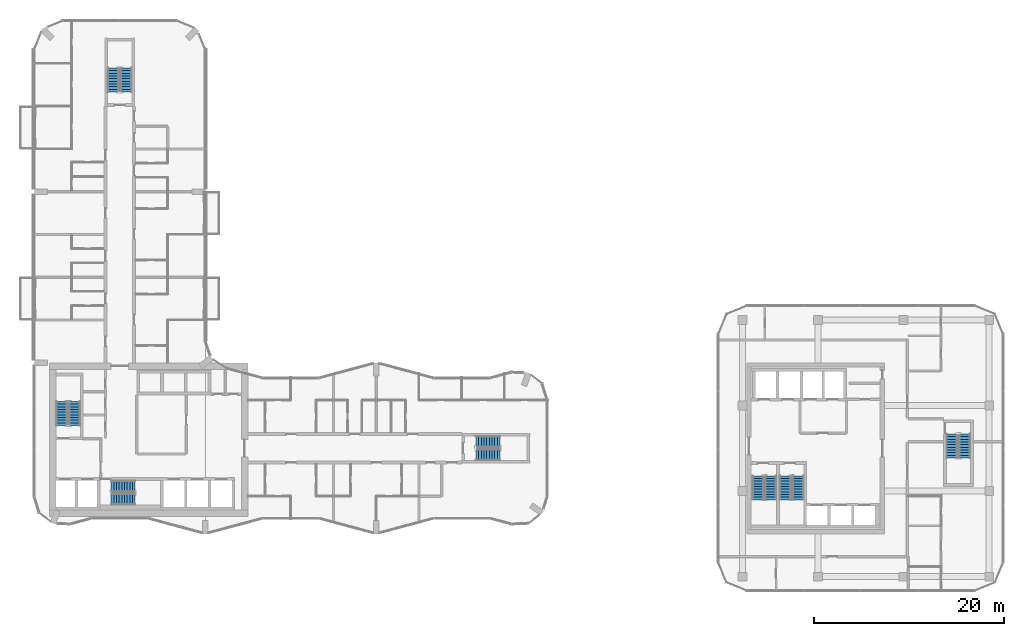
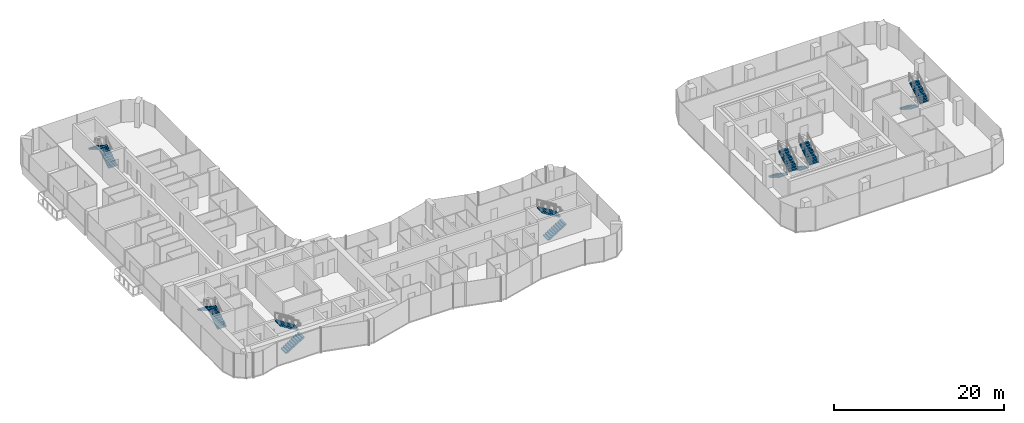
# One storey, part 20 of 23: 14 stair flights, 7 elements without a shape of their own.
"""IFC4 building model written with IfcOpenShell, lengths in metres."""

from ifc_helpers import new_model, si_unit, direction, frame, origin, place, context, subcontext, project, spatial, polyline, outline, extrude, material, type_object, element, aggregate, save


model = new_model("IFC4")

# Units and contexts
model_context = context("Model", 3, precision=1e-05, world=origin(), true_north=direction((0.0, 1.0)))
body_context = subcontext(model_context, "Body", "Model", "MODEL_VIEW")
ifc_project = project(units=[si_unit("LENGTHUNIT", "METRE"), si_unit("AREAUNIT", "SQUARE_METRE"), si_unit("VOLUMEUNIT", "CUBIC_METRE"), si_unit("PLANEANGLEUNIT", "RADIAN"), si_unit("MASSUNIT", "GRAM", prefix="KILO")], contexts=[model_context])

# Site, building, storey
site_placement = place(None, origin())
site = spatial("IfcSite", under=ifc_project, at=site_placement, CompositionType="ELEMENT")
building_placement = place(site_placement, origin())
building = spatial("IfcBuilding", under=site, at=building_placement, Name="Plateau Cross Towers", CompositionType="ELEMENT")
storey_placement = place(building_placement, frame((0.0, 0.0, 81.800048828125)))
storey = spatial("IfcBuildingStorey", under=building, at=storey_placement, Name="L20", CompositionType="ELEMENT", Elevation=81.800048828125)

# Stair, stair flights
ifc_material = material(Name="Concrete C40/50", Category="concrete")
stair_type = type_object("IfcStairType", Name="ST-TWR", PredefinedType="HALF_TURN_STAIR", material=ifc_material)
stair_1_placement = place(storey_placement, origin())
stair_1 = element("IfcStair", 1, at=stair_1_placement, inside=storey, type_object=stair_type, Name="L20 Protected Exit Stair ST-1", PredefinedType="HALF_TURN_STAIR")
stair_flight_type = type_object("IfcStairFlightType", Name="SFL-RC", PredefinedType="STRAIGHT", material=ifc_material)
stair_flight_1_placement = place(storey_placement, frame((4.25, 11.39990234375, 0.0), z_axis=(0.0, 0.0, 1.0), x_axis=(0.0, 1.0, 0.0)))
stair_flight_1 = element("IfcStairFlight", 2, at=stair_flight_1_placement, type_object=stair_flight_type, Name="ST-1 flight 1", NumberOfRisers=10, NumberOfTreads=9, PredefinedType="STRAIGHT", RiserHeight=0.175, TreadLength=0.28, context=body_context, shape_type="SweptSolid", body=[
    extrude(outline(polyline([(-0.0048828125, -0.010009765625), (-0.0048828125, 0.0), (0.0, 0.0), (0.0, 0.175048828125), (0.280029296875, 0.175048828125), (0.280029296875, 0.35009765625), (0.56005859375, 0.35009765625), (0.56005859375, 0.52490234375), (0.840087890625, 0.52490234375), (0.840087890625, 0.699951171875), (1.1201171875, 0.699951171875), (1.1201171875, 0.875), (1.39990234375, 0.875), (1.39990234375, 1.050048828125), (1.679931640625, 1.050048828125), (1.679931640625, 1.22509765625), (1.9599609375, 1.22509765625), (1.9599609375, 1.39990234375), (2.239990234375, 1.39990234375), (2.239990234375, 1.574951171875), (2.52001953125, 1.574951171875), (2.52490234375, 1.56494140625), (2.52490234375, 1.398193359375), (2.52001953125, 1.398193359375), (0.28271484375, 0.0), (0.02001953125, 0.0), (0.02001953125, -0.010009765625), (-0.0048828125, -0.010009765625)])), frame((0.0, 0.60009765625, 0.0), z_axis=(0.0, -1.0, 0.0), x_axis=(1.0, 0.0, 0.0)), (0.0, 0.0, 1.0), 1.199951171875),
])
stair_flight_2_placement = place(storey_placement, frame((2.89990234375, 13.919921875, 1.75), z_axis=(0.0, 0.0, 1.0), x_axis=(0.0, -1.0, 0.0)))
stair_flight_2 = element("IfcStairFlight", 3, at=stair_flight_2_placement, type_object=stair_flight_type, Name="ST-1 flight 2", NumberOfRisers=10, NumberOfTreads=9, PredefinedType="STRAIGHT", RiserHeight=0.175, TreadLength=0.28, context=body_context, shape_type="SweptSolid", body=[
    extrude(outline(polyline([(-0.0048828125, -0.010009765625), (-0.0048828125, 0.0), (0.0, 0.0), (0.0, 0.175048828125), (0.280029296875, 0.175048828125), (0.280029296875, 0.35009765625), (0.56005859375, 0.35009765625), (0.56005859375, 0.52490234375), (0.840087890625, 0.52490234375), (0.840087890625, 0.699951171875), (1.1201171875, 0.699951171875), (1.1201171875, 0.875), (1.39990234375, 0.875), (1.39990234375, 1.050048828125), (1.679931640625, 1.050048828125), (1.679931640625, 1.22509765625), (1.9599609375, 1.22509765625), (1.9599609375, 1.39990234375), (2.239990234375, 1.39990234375), (2.239990234375, 1.574951171875), (2.52001953125, 1.574951171875), (2.52490234375, 1.56494140625), (2.52490234375, 1.398193359375), (2.52001953125, 1.398193359375), (0.28271484375, 0.0), (0.02001953125, 0.0), (0.02001953125, -0.010009765625), (-0.0048828125, -0.010009765625)])), frame((0.0, 0.60009765625, 0.0), z_axis=(0.0, -1.0, 0.0), x_axis=(1.0, 0.0, 0.0)), (0.0, 0.0, 1.0), 1.199951171875),
])
aggregate(stair_1, [stair_flight_1, stair_flight_2])

stair_2_placement = place(storey_placement, origin())
stair_2 = element("IfcStair", 4, at=stair_2_placement, inside=storey, type_object=stair_type, Name="L20 Protected Exit Stair ST-2", PredefinedType="HALF_TURN_STAIR")
stair_flight_3_placement = place(storey_placement, frame((8.10009765625, 3.64990234375, 0.0), z_axis=(0.0, 0.0, 1.0), x_axis=(1.0, 0.0, 0.0)))
stair_flight_3 = element("IfcStairFlight", 5, at=stair_flight_3_placement, type_object=stair_flight_type, Name="ST-2 flight 1", NumberOfRisers=10, NumberOfTreads=9, PredefinedType="STRAIGHT", RiserHeight=0.175, TreadLength=0.28, context=body_context, shape_type="SweptSolid", body=[
    extrude(outline(polyline([(-0.0048828125, -0.010009765625), (-0.0048828125, 0.0), (0.0, 0.0), (0.0, 0.175048828125), (0.280029296875, 0.175048828125), (0.280029296875, 0.35009765625), (0.56005859375, 0.35009765625), (0.56005859375, 0.52490234375), (0.840087890625, 0.52490234375), (0.840087890625, 0.699951171875), (1.1201171875, 0.699951171875), (1.1201171875, 0.875), (1.39990234375, 0.875), (1.39990234375, 1.050048828125), (1.679931640625, 1.050048828125), (1.679931640625, 1.22509765625), (1.9599609375, 1.22509765625), (1.9599609375, 1.39990234375), (2.239990234375, 1.39990234375), (2.239990234375, 1.574951171875), (2.52001953125, 1.574951171875), (2.52490234375, 1.56494140625), (2.52490234375, 1.398193359375), (2.52001953125, 1.398193359375), (0.28271484375, 0.0), (0.02001953125, 0.0), (0.02001953125, -0.010009765625), (-0.0048828125, -0.010009765625)])), frame((0.0, 0.60009765625, 0.0), z_axis=(0.0, -1.0, 0.0), x_axis=(1.0, 0.0, 0.0)), (0.0, 0.0, 1.0), 1.199951171875),
])
stair_flight_4_placement = place(storey_placement, frame((10.6201171875, 5.0, 1.75), z_axis=(0.0, 0.0, 1.0), x_axis=(-1.0, 0.0, 0.0)))
stair_flight_4 = element("IfcStairFlight", 6, at=stair_flight_4_placement, type_object=stair_flight_type, Name="ST-2 flight 2", NumberOfRisers=10, NumberOfTreads=9, PredefinedType="STRAIGHT", RiserHeight=0.175, TreadLength=0.28, context=body_context, shape_type="SweptSolid", body=[
    extrude(outline(polyline([(-0.0048828125, -0.010009765625), (-0.0048828125, 0.0), (0.0, 0.0), (0.0, 0.175048828125), (0.280029296875, 0.175048828125), (0.280029296875, 0.35009765625), (0.56005859375, 0.35009765625), (0.56005859375, 0.52490234375), (0.840087890625, 0.52490234375), (0.840087890625, 0.699951171875), (1.1201171875, 0.699951171875), (1.1201171875, 0.875), (1.39990234375, 0.875), (1.39990234375, 1.050048828125), (1.679931640625, 1.050048828125), (1.679931640625, 1.22509765625), (1.9599609375, 1.22509765625), (1.9599609375, 1.39990234375), (2.239990234375, 1.39990234375), (2.239990234375, 1.574951171875), (2.52001953125, 1.574951171875), (2.52490234375, 1.56494140625), (2.52490234375, 1.398193359375), (2.52001953125, 1.398193359375), (0.28271484375, 0.0), (0.02001953125, 0.0), (0.02001953125, -0.010009765625), (-0.0048828125, -0.010009765625)])), frame((0.0, 0.60009765625, 0.0), z_axis=(0.0, -1.0, 0.0), x_axis=(1.0, 0.0, 0.0)), (0.0, 0.0, 1.0), 1.199951171875),
])
aggregate(stair_2, [stair_flight_3, stair_flight_4])

stair_3_placement = place(storey_placement, origin())
stair_3 = element("IfcStair", 7, at=stair_3_placement, inside=storey, type_object=stair_type, Name="L20 Protected Exit Stair SB-1", PredefinedType="HALF_TURN_STAIR")
stair_flight_5_placement = place(storey_placement, frame((76.199951171875, 6.10009765625, 0.0), z_axis=(0.0, 0.0, 1.0), x_axis=(0.0, -1.0, 0.0)))
stair_flight_5 = element("IfcStairFlight", 8, at=stair_flight_5_placement, type_object=stair_flight_type, Name="SB-1 flight 1", NumberOfRisers=10, NumberOfTreads=9, PredefinedType="STRAIGHT", RiserHeight=0.175, TreadLength=0.28, context=body_context, shape_type="SweptSolid", body=[
    extrude(outline(polyline([(-0.0048828125, -0.010009765625), (-0.0048828125, 0.0), (0.0, 0.0), (0.0, 0.175048828125), (0.280029296875, 0.175048828125), (0.280029296875, 0.35009765625), (0.56005859375, 0.35009765625), (0.56005859375, 0.52490234375), (0.840087890625, 0.52490234375), (0.840087890625, 0.699951171875), (1.1201171875, 0.699951171875), (1.1201171875, 0.875), (1.39990234375, 0.875), (1.39990234375, 1.050048828125), (1.679931640625, 1.050048828125), (1.679931640625, 1.22509765625), (1.9599609375, 1.22509765625), (1.9599609375, 1.39990234375), (2.239990234375, 1.39990234375), (2.239990234375, 1.574951171875), (2.52001953125, 1.574951171875), (2.52490234375, 1.56494140625), (2.52490234375, 1.398193359375), (2.52001953125, 1.398193359375), (0.28271484375, 0.0), (0.02001953125, 0.0), (0.02001953125, -0.010009765625), (-0.0048828125, -0.010009765625)])), frame((0.0, 0.60009765625, 0.0), z_axis=(0.0, -1.0, 0.0), x_axis=(1.0, 0.0, 0.0)), (0.0, 0.0, 1.0), 1.199951171875),
])
stair_flight_6_placement = place(storey_placement, frame((77.550048828125, 3.580078125, 1.75), z_axis=(0.0, 0.0, 1.0), x_axis=(0.0, 1.0, 0.0)))
stair_flight_6 = element("IfcStairFlight", 9, at=stair_flight_6_placement, type_object=stair_flight_type, Name="SB-1 flight 2", NumberOfRisers=10, NumberOfTreads=9, PredefinedType="STRAIGHT", RiserHeight=0.175, TreadLength=0.28, context=body_context, shape_type="SweptSolid", body=[
    extrude(outline(polyline([(-0.0048828125, -0.010009765625), (-0.0048828125, 0.0), (0.0, 0.0), (0.0, 0.175048828125), (0.280029296875, 0.175048828125), (0.280029296875, 0.35009765625), (0.56005859375, 0.35009765625), (0.56005859375, 0.52490234375), (0.840087890625, 0.52490234375), (0.840087890625, 0.699951171875), (1.1201171875, 0.699951171875), (1.1201171875, 0.875), (1.39990234375, 0.875), (1.39990234375, 1.050048828125), (1.679931640625, 1.050048828125), (1.679931640625, 1.22509765625), (1.9599609375, 1.22509765625), (1.9599609375, 1.39990234375), (2.239990234375, 1.39990234375), (2.239990234375, 1.574951171875), (2.52001953125, 1.574951171875), (2.52490234375, 1.56494140625), (2.52490234375, 1.398193359375), (2.52001953125, 1.398193359375), (0.28271484375, 0.0), (0.02001953125, 0.0), (0.02001953125, -0.010009765625), (-0.0048828125, -0.010009765625)])), frame((0.0, 0.60009765625, 0.0), z_axis=(0.0, -1.0, 0.0), x_axis=(1.0, 0.0, 0.0)), (0.0, 0.0, 1.0), 1.199951171875),
])
aggregate(stair_3, [stair_flight_5, stair_flight_6])

stair_4_placement = place(storey_placement, origin())
stair_4 = element("IfcStair", 10, at=stair_4_placement, inside=storey, type_object=stair_type, Name="L20 Protected Exit Stair SB-2", PredefinedType="HALF_TURN_STAIR")
stair_flight_7_placement = place(storey_placement, frame((79.050048828125, 6.10009765625, 0.0), z_axis=(0.0, 0.0, 1.0), x_axis=(0.0, -1.0, 0.0)))
stair_flight_7 = element("IfcStairFlight", 11, at=stair_flight_7_placement, type_object=stair_flight_type, Name="SB-2 flight 1", NumberOfRisers=10, NumberOfTreads=9, PredefinedType="STRAIGHT", RiserHeight=0.175, TreadLength=0.28, context=body_context, shape_type="SweptSolid", body=[
    extrude(outline(polyline([(-0.0048828125, -0.010009765625), (-0.0048828125, 0.0), (0.0, 0.0), (0.0, 0.175048828125), (0.280029296875, 0.175048828125), (0.280029296875, 0.35009765625), (0.56005859375, 0.35009765625), (0.56005859375, 0.52490234375), (0.840087890625, 0.52490234375), (0.840087890625, 0.699951171875), (1.1201171875, 0.699951171875), (1.1201171875, 0.875), (1.39990234375, 0.875), (1.39990234375, 1.050048828125), (1.679931640625, 1.050048828125), (1.679931640625, 1.22509765625), (1.9599609375, 1.22509765625), (1.9599609375, 1.39990234375), (2.239990234375, 1.39990234375), (2.239990234375, 1.574951171875), (2.52001953125, 1.574951171875), (2.52490234375, 1.56494140625), (2.52490234375, 1.398193359375), (2.52001953125, 1.398193359375), (0.28271484375, 0.0), (0.02001953125, 0.0), (0.02001953125, -0.010009765625), (-0.0048828125, -0.010009765625)])), frame((0.0, 0.60009765625, 0.0), z_axis=(0.0, -1.0, 0.0), x_axis=(1.0, 0.0, 0.0)), (0.0, 0.0, 1.0), 1.199951171875),
])
stair_flight_8_placement = place(storey_placement, frame((80.39990234375, 3.580078125, 1.75), z_axis=(0.0, 0.0, 1.0), x_axis=(0.0, 1.0, 0.0)))
stair_flight_8 = element("IfcStairFlight", 12, at=stair_flight_8_placement, type_object=stair_flight_type, Name="SB-2 flight 2", NumberOfRisers=10, NumberOfTreads=9, PredefinedType="STRAIGHT", RiserHeight=0.175, TreadLength=0.28, context=body_context, shape_type="SweptSolid", body=[
    extrude(outline(polyline([(-0.0048828125, -0.010009765625), (-0.0048828125, 0.0), (0.0, 0.0), (0.0, 0.175048828125), (0.280029296875, 0.175048828125), (0.280029296875, 0.35009765625), (0.56005859375, 0.35009765625), (0.56005859375, 0.52490234375), (0.840087890625, 0.52490234375), (0.840087890625, 0.699951171875), (1.1201171875, 0.699951171875), (1.1201171875, 0.875), (1.39990234375, 0.875), (1.39990234375, 1.050048828125), (1.679931640625, 1.050048828125), (1.679931640625, 1.22509765625), (1.9599609375, 1.22509765625), (1.9599609375, 1.39990234375), (2.239990234375, 1.39990234375), (2.239990234375, 1.574951171875), (2.52001953125, 1.574951171875), (2.52490234375, 1.56494140625), (2.52490234375, 1.398193359375), (2.52001953125, 1.398193359375), (0.28271484375, 0.0), (0.02001953125, 0.0), (0.02001953125, -0.010009765625), (-0.0048828125, -0.010009765625)])), frame((0.0, 0.60009765625, 0.0), z_axis=(0.0, -1.0, 0.0), x_axis=(1.0, 0.0, 0.0)), (0.0, 0.0, 1.0), 1.199951171875),
])
aggregate(stair_4, [stair_flight_7, stair_flight_8])

stair_5_placement = place(storey_placement, origin())
stair_5 = element("IfcStair", 13, at=stair_5_placement, inside=storey, type_object=stair_type, Name="L20 Protected Exit Stair SB-3", PredefinedType="HALF_TURN_STAIR")
stair_flight_9_placement = place(storey_placement, frame((96.60009765625, 10.5, 0.0), z_axis=(0.0, 0.0, 1.0), x_axis=(0.0, -1.0, 0.0)))
stair_flight_9 = element("IfcStairFlight", 14, at=stair_flight_9_placement, type_object=stair_flight_type, Name="SB-3 flight 1", NumberOfRisers=10, NumberOfTreads=9, PredefinedType="STRAIGHT", RiserHeight=0.175, TreadLength=0.28, context=body_context, shape_type="SweptSolid", body=[
    extrude(outline(polyline([(-0.0048828125, -0.010009765625), (-0.0048828125, 0.0), (0.0, 0.0), (0.0, 0.175048828125), (0.280029296875, 0.175048828125), (0.280029296875, 0.35009765625), (0.56005859375, 0.35009765625), (0.56005859375, 0.52490234375), (0.840087890625, 0.52490234375), (0.840087890625, 0.699951171875), (1.1201171875, 0.699951171875), (1.1201171875, 0.875), (1.39990234375, 0.875), (1.39990234375, 1.050048828125), (1.679931640625, 1.050048828125), (1.679931640625, 1.22509765625), (1.9599609375, 1.22509765625), (1.9599609375, 1.39990234375), (2.239990234375, 1.39990234375), (2.239990234375, 1.574951171875), (2.52001953125, 1.574951171875), (2.52490234375, 1.56494140625), (2.52490234375, 1.398193359375), (2.52001953125, 1.398193359375), (0.28271484375, 0.0), (0.02001953125, 0.0), (0.02001953125, -0.010009765625), (-0.0048828125, -0.010009765625)])), frame((0.0, 0.60009765625, 0.0), z_axis=(0.0, -1.0, 0.0), x_axis=(1.0, 0.0, 0.0)), (0.0, 0.0, 1.0), 1.199951171875),
])
stair_flight_10_placement = place(storey_placement, frame((97.949951171875, 7.97998046875, 1.75), z_axis=(0.0, 0.0, 1.0), x_axis=(0.0, 1.0, 0.0)))
stair_flight_10 = element("IfcStairFlight", 15, at=stair_flight_10_placement, type_object=stair_flight_type, Name="SB-3 flight 2", NumberOfRisers=10, NumberOfTreads=9, PredefinedType="STRAIGHT", RiserHeight=0.175, TreadLength=0.28, context=body_context, shape_type="SweptSolid", body=[
    extrude(outline(polyline([(-0.0048828125, -0.010009765625), (-0.0048828125, 0.0), (0.0, 0.0), (0.0, 0.175048828125), (0.280029296875, 0.175048828125), (0.280029296875, 0.35009765625), (0.56005859375, 0.35009765625), (0.56005859375, 0.52490234375), (0.840087890625, 0.52490234375), (0.840087890625, 0.699951171875), (1.1201171875, 0.699951171875), (1.1201171875, 0.875), (1.39990234375, 0.875), (1.39990234375, 1.050048828125), (1.679931640625, 1.050048828125), (1.679931640625, 1.22509765625), (1.9599609375, 1.22509765625), (1.9599609375, 1.39990234375), (2.239990234375, 1.39990234375), (2.239990234375, 1.574951171875), (2.52001953125, 1.574951171875), (2.52490234375, 1.56494140625), (2.52490234375, 1.398193359375), (2.52001953125, 1.398193359375), (0.28271484375, 0.0), (0.02001953125, 0.0), (0.02001953125, -0.010009765625), (-0.0048828125, -0.010009765625)])), frame((0.0, 0.60009765625, 0.0), z_axis=(0.0, -1.0, 0.0), x_axis=(1.0, 0.0, 0.0)), (0.0, 0.0, 1.0), 1.199951171875),
])
aggregate(stair_5, [stair_flight_9, stair_flight_10])

stair_6_placement = place(storey_placement, origin())
stair_6 = element("IfcStair", 16, at=stair_6_placement, inside=storey, type_object=stair_type, Name="L20 Protected Exit Stair E", PredefinedType="HALF_TURN_STAIR")
stair_flight_11_placement = place(storey_placement, frame((46.5, 8.324951171875, 0.0), z_axis=(0.0, 0.0, 1.0), x_axis=(1.0, 0.0, 0.0)))
stair_flight_11 = element("IfcStairFlight", 17, at=stair_flight_11_placement, type_object=stair_flight_type, Name="ES-E flight 1", NumberOfRisers=10, NumberOfTreads=9, PredefinedType="STRAIGHT", RiserHeight=0.175, TreadLength=0.28, context=body_context, shape_type="SweptSolid", body=[
    extrude(outline(polyline([(-0.0048828125, -0.010009765625), (-0.0048828125, 0.0), (0.0, 0.0), (0.0, 0.175048828125), (0.280029296875, 0.175048828125), (0.280029296875, 0.35009765625), (0.56005859375, 0.35009765625), (0.56005859375, 0.52490234375), (0.840087890625, 0.52490234375), (0.840087890625, 0.699951171875), (1.1201171875, 0.699951171875), (1.1201171875, 0.875), (1.39990234375, 0.875), (1.39990234375, 1.050048828125), (1.679931640625, 1.050048828125), (1.679931640625, 1.22509765625), (1.9599609375, 1.22509765625), (1.9599609375, 1.39990234375), (2.239990234375, 1.39990234375), (2.239990234375, 1.574951171875), (2.52001953125, 1.574951171875), (2.52490234375, 1.56494140625), (2.52490234375, 1.398193359375), (2.52001953125, 1.398193359375), (0.28271484375, 0.0), (0.02001953125, 0.0), (0.02001953125, -0.010009765625), (-0.0048828125, -0.010009765625)])), frame((0.0, 0.60009765625, 0.0), z_axis=(0.0, -1.0, 0.0), x_axis=(1.0, 0.0, 0.0)), (0.0, 0.0, 1.0), 1.199951171875),
])
stair_flight_12_placement = place(storey_placement, frame((49.02001953125, 9.675048828125, 1.75), z_axis=(0.0, 0.0, 1.0), x_axis=(-1.0, 0.0, 0.0)))
stair_flight_12 = element("IfcStairFlight", 18, at=stair_flight_12_placement, type_object=stair_flight_type, Name="ES-E flight 2", NumberOfRisers=10, NumberOfTreads=9, PredefinedType="STRAIGHT", RiserHeight=0.175, TreadLength=0.28, context=body_context, shape_type="SweptSolid", body=[
    extrude(outline(polyline([(-0.0048828125, -0.010009765625), (-0.0048828125, 0.0), (0.0, 0.0), (0.0, 0.175048828125), (0.280029296875, 0.175048828125), (0.280029296875, 0.35009765625), (0.56005859375, 0.35009765625), (0.56005859375, 0.52490234375), (0.840087890625, 0.52490234375), (0.840087890625, 0.699951171875), (1.1201171875, 0.699951171875), (1.1201171875, 0.875), (1.39990234375, 0.875), (1.39990234375, 1.050048828125), (1.679931640625, 1.050048828125), (1.679931640625, 1.22509765625), (1.9599609375, 1.22509765625), (1.9599609375, 1.39990234375), (2.239990234375, 1.39990234375), (2.239990234375, 1.574951171875), (2.52001953125, 1.574951171875), (2.52490234375, 1.56494140625), (2.52490234375, 1.398193359375), (2.52001953125, 1.398193359375), (0.28271484375, 0.0), (0.02001953125, 0.0), (0.02001953125, -0.010009765625), (-0.0048828125, -0.010009765625)])), frame((0.0, 0.60009765625, 0.0), z_axis=(0.0, -1.0, 0.0), x_axis=(1.0, 0.0, 0.0)), (0.0, 0.0, 1.0), 1.199951171875),
])
aggregate(stair_6, [stair_flight_11, stair_flight_12])

stair_7_placement = place(storey_placement, origin())
stair_7 = element("IfcStair", 19, at=stair_7_placement, inside=storey, type_object=stair_type, Name="L20 Protected Exit Stair N", PredefinedType="HALF_TURN_STAIR")
stair_flight_13_placement = place(storey_placement, frame((9.675048828125, 46.5, 0.0), z_axis=(0.0, 0.0, 1.0), x_axis=(0.0, 1.0, 0.0)))
stair_flight_13 = element("IfcStairFlight", 20, at=stair_flight_13_placement, type_object=stair_flight_type, Name="ES-N flight 1", NumberOfRisers=10, NumberOfTreads=9, PredefinedType="STRAIGHT", RiserHeight=0.175, TreadLength=0.28, context=body_context, shape_type="SweptSolid", body=[
    extrude(outline(polyline([(-0.0048828125, -0.010009765625), (-0.0048828125, 0.0), (0.0, 0.0), (0.0, 0.175048828125), (0.280029296875, 0.175048828125), (0.280029296875, 0.35009765625), (0.56005859375, 0.35009765625), (0.56005859375, 0.52490234375), (0.840087890625, 0.52490234375), (0.840087890625, 0.699951171875), (1.1201171875, 0.699951171875), (1.1201171875, 0.875), (1.39990234375, 0.875), (1.39990234375, 1.050048828125), (1.679931640625, 1.050048828125), (1.679931640625, 1.22509765625), (1.9599609375, 1.22509765625), (1.9599609375, 1.39990234375), (2.239990234375, 1.39990234375), (2.239990234375, 1.574951171875), (2.52001953125, 1.574951171875), (2.52490234375, 1.56494140625), (2.52490234375, 1.398193359375), (2.52001953125, 1.398193359375), (0.28271484375, 0.0), (0.02001953125, 0.0), (0.02001953125, -0.010009765625), (-0.0048828125, -0.010009765625)])), frame((0.0, 0.60009765625, 0.0), z_axis=(0.0, -1.0, 0.0), x_axis=(1.0, 0.0, 0.0)), (0.0, 0.0, 1.0), 1.199951171875),
])
stair_flight_14_placement = place(storey_placement, frame((8.324951171875, 49.02001953125, 1.75), z_axis=(0.0, 0.0, 1.0), x_axis=(0.0, -1.0, 0.0)))
stair_flight_14 = element("IfcStairFlight", 21, at=stair_flight_14_placement, type_object=stair_flight_type, Name="ES-N flight 2", NumberOfRisers=10, NumberOfTreads=9, PredefinedType="STRAIGHT", RiserHeight=0.175, TreadLength=0.28, context=body_context, shape_type="SweptSolid", body=[
    extrude(outline(polyline([(-0.0048828125, -0.010009765625), (-0.0048828125, 0.0), (0.0, 0.0), (0.0, 0.175048828125), (0.280029296875, 0.175048828125), (0.280029296875, 0.35009765625), (0.56005859375, 0.35009765625), (0.56005859375, 0.52490234375), (0.840087890625, 0.52490234375), (0.840087890625, 0.699951171875), (1.1201171875, 0.699951171875), (1.1201171875, 0.875), (1.39990234375, 0.875), (1.39990234375, 1.050048828125), (1.679931640625, 1.050048828125), (1.679931640625, 1.22509765625), (1.9599609375, 1.22509765625), (1.9599609375, 1.39990234375), (2.239990234375, 1.39990234375), (2.239990234375, 1.574951171875), (2.52001953125, 1.574951171875), (2.52490234375, 1.56494140625), (2.52490234375, 1.398193359375), (2.52001953125, 1.398193359375), (0.28271484375, 0.0), (0.02001953125, 0.0), (0.02001953125, -0.010009765625), (-0.0048828125, -0.010009765625)])), frame((0.0, 0.60009765625, 0.0), z_axis=(0.0, -1.0, 0.0), x_axis=(1.0, 0.0, 0.0)), (0.0, 0.0, 1.0), 1.199951171875),
])
aggregate(stair_7, [stair_flight_13, stair_flight_14])

save(model, "model.ifc")
